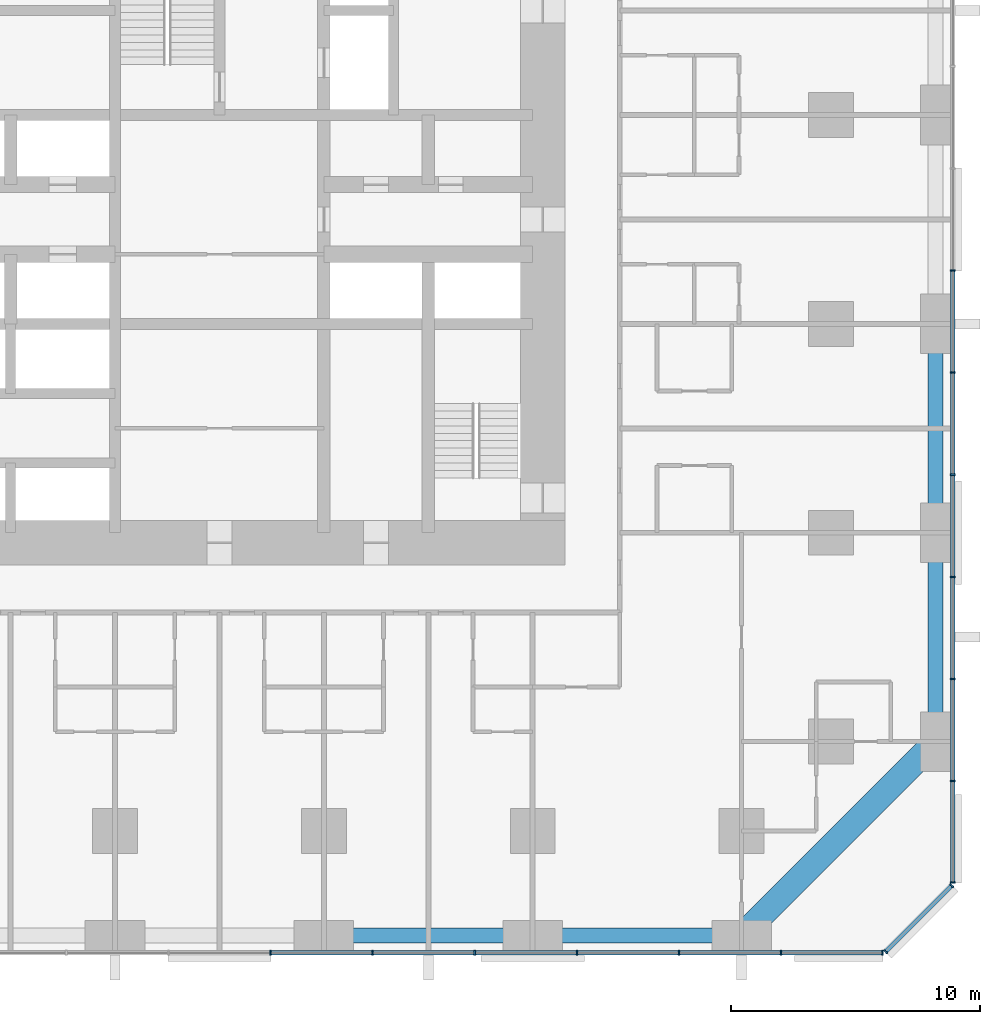
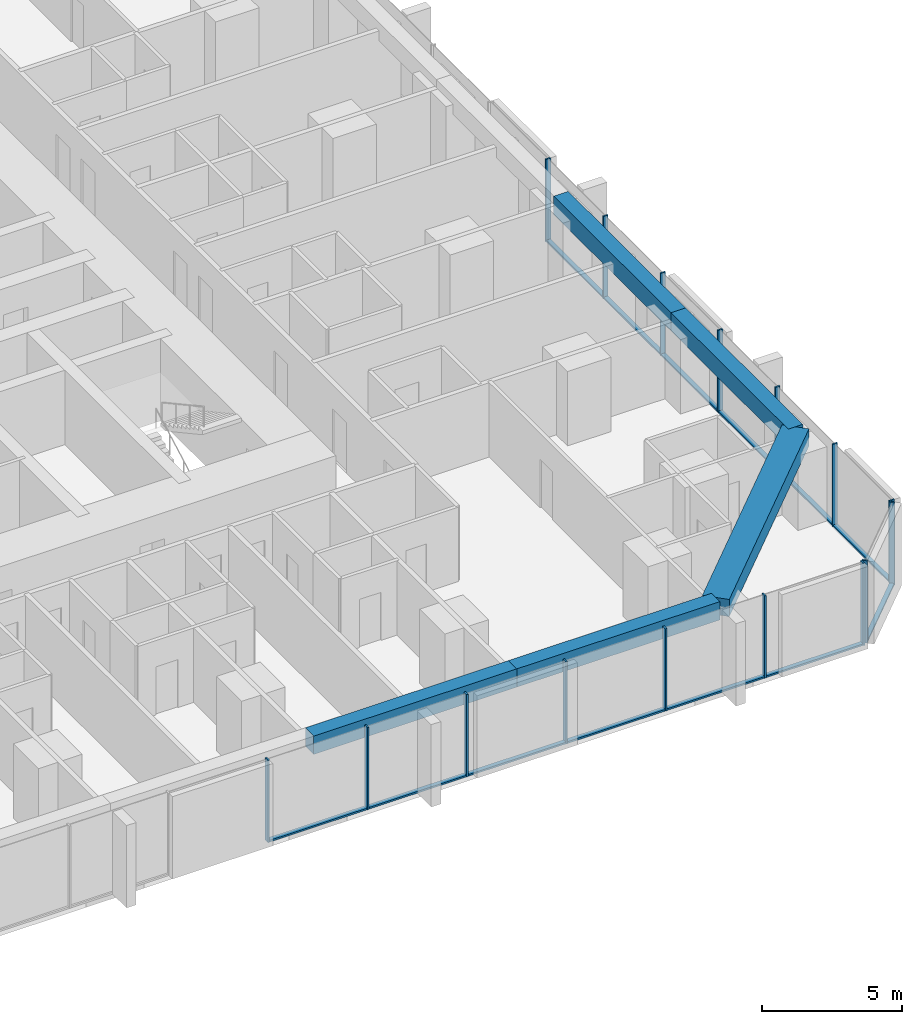
# One storey, part 4 of 18: 29 members, 5 beams, 3 elements without a shape of their own.
"""IFC4 building model written with IfcOpenShell, lengths in metres."""

from ifc_helpers import new_model, si_unit, direction, frame, origin, origin_2d, place, context, subcontext, project, spatial, rectangle, extrude, material, material_profile, profile_set, type_object, element, aggregate, save


model = new_model("IFC4")

# Units and contexts
model_context = context("Model", 3, precision=1e-05, world=origin(), true_north=direction((0.0, 1.0)))
body_context = subcontext(model_context, "Body", "Model", "MODEL_VIEW")
ifc_project = project(units=[si_unit("LENGTHUNIT", "METRE"), si_unit("AREAUNIT", "SQUARE_METRE"), si_unit("VOLUMEUNIT", "CUBIC_METRE"), si_unit("PLANEANGLEUNIT", "RADIAN"), si_unit("MASSUNIT", "GRAM", prefix="KILO")], contexts=[model_context])

# Site, building, storey
site_placement = place(None, origin())
site = spatial("IfcSite", under=ifc_project, at=site_placement, CompositionType="ELEMENT")
building_placement = place(site_placement, origin())
building = spatial("IfcBuilding", under=site, at=building_placement, Name="Dunama Terrace Hotel", CompositionType="ELEMENT")
storey_placement = place(building_placement, frame((0.0, 0.0, 30.60009765625)))
storey = spatial("IfcBuildingStorey", under=building, at=storey_placement, Name="L06", CompositionType="ELEMENT", Elevation=30.60009765625)

# Curtain wall, members
ifc_material_1 = material(Name="Aluminium curtain wall system", Category="aluminium")
curtain_wall_type = type_object("IfcCurtainWallType", Name="Unitised fritted glass wall CW-A", PredefinedType="NOTDEFINED", material=ifc_material_1)
curtain_wall_1_placement = place(storey_placement, origin())
curtain_wall_1 = element("IfcCurtainWall", 1, at=curtain_wall_1_placement, inside=storey, type_object=curtain_wall_type, Name="Unitised fritted glass wall CW-A L06", PredefinedType="NOTDEFINED")
ifc_material_2 = material(Name="Aluminium mullion", Category="aluminium")
ifc_material_profile_1 = material_profile(ifc_material_2, rectangle(XDim=0.06494140625, YDim=0.199951171875, at=origin_2d()), Name="CWA MULLION 65X200")
ifc_profile_set_1 = profile_set([ifc_material_profile_1], Name="Aluminium mullion")
member_type_1 = type_object("IfcMemberType", Name="CWA mullion 65x200", PredefinedType="MULLION", material=ifc_profile_set_1)
member_1_placement = place(storey_placement, frame((31.4541015625, -0.10009765625, 0.0), z_axis=(0.0, 0.0, 1.0), x_axis=(1.0, 0.0, 0.0)))
member_1 = element("IfcMember", 2, at=member_1_placement, type_object=member_type_1, Name="CWA mullion", PredefinedType="MULLION", context=body_context, shape_type="SweptSolid", body=[
    extrude(rectangle(XDim=0.06494140625, YDim=0.199951171875, at=origin_2d()), origin(), (0.0, 0.0, 1.0), 3.599853515625),
])
member_2_placement = place(storey_placement, frame((35.56201171875, -0.10009765625, 0.0), z_axis=(0.0, 0.0, 1.0), x_axis=(1.0, 0.0, 0.0)))
member_2 = element("IfcMember", 3, at=member_2_placement, type_object=member_type_1, Name="CWA mullion", PredefinedType="MULLION", context=body_context, shape_type="SweptSolid", body=[
    extrude(rectangle(XDim=0.06494140625, YDim=0.199951171875, at=origin_2d()), origin(), (0.0, 0.0, 1.0), 3.599853515625),
])
member_3_placement = place(storey_placement, frame((39.6689453125, -0.10009765625, 0.0), z_axis=(0.0, 0.0, 1.0), x_axis=(1.0, 0.0, 0.0)))
member_3 = element("IfcMember", 4, at=member_3_placement, type_object=member_type_1, Name="CWA mullion", PredefinedType="MULLION", context=body_context, shape_type="SweptSolid", body=[
    extrude(rectangle(XDim=0.06494140625, YDim=0.199951171875, at=origin_2d()), origin(), (0.0, 0.0, 1.0), 3.599853515625),
])
member_4_placement = place(storey_placement, frame((43.777099609375, -0.10009765625, 0.0), z_axis=(0.0, 0.0, 1.0), x_axis=(1.0, 0.0, 0.0)))
member_4 = element("IfcMember", 5, at=member_4_placement, type_object=member_type_1, Name="CWA mullion", PredefinedType="MULLION", context=body_context, shape_type="SweptSolid", body=[
    extrude(rectangle(XDim=0.06494140625, YDim=0.199951171875, at=origin_2d()), origin(), (0.0, 0.0, 1.0), 3.599853515625),
])
member_5_placement = place(storey_placement, frame((47.885009765625, -0.10009765625, 0.0), z_axis=(0.0, 0.0, 1.0), x_axis=(1.0, 0.0, 0.0)))
member_5 = element("IfcMember", 6, at=member_5_placement, type_object=member_type_1, Name="CWA mullion", PredefinedType="MULLION", context=body_context, shape_type="SweptSolid", body=[
    extrude(rectangle(XDim=0.06494140625, YDim=0.199951171875, at=origin_2d()), origin(), (0.0, 0.0, 1.0), 3.599853515625),
])
member_6_placement = place(storey_placement, frame((51.991943359375, -0.10009765625, 0.0), z_axis=(0.0, 0.0, 1.0), x_axis=(1.0, 0.0, 0.0)))
member_6 = element("IfcMember", 7, at=member_6_placement, type_object=member_type_1, Name="CWA mullion", PredefinedType="MULLION", context=body_context, shape_type="SweptSolid", body=[
    extrude(rectangle(XDim=0.06494140625, YDim=0.199951171875, at=origin_2d()), origin(), (0.0, 0.0, 1.0), 3.599853515625),
])
member_7_placement = place(storey_placement, frame((56.06689453125, -0.10009765625, 0.0), z_axis=(0.0, 0.0, 1.0), x_axis=(1.0, 0.0, 0.0)))
member_7 = element("IfcMember", 8, at=member_7_placement, type_object=member_type_1, Name="CWA mullion", PredefinedType="MULLION", context=body_context, shape_type="SweptSolid", body=[
    extrude(rectangle(XDim=0.06494140625, YDim=0.199951171875, at=origin_2d()), origin(), (0.0, 0.0, 1.0), 3.599853515625),
])

curtain_wall_2_placement = place(storey_placement, origin())
curtain_wall_2 = element("IfcCurtainWall", 9, at=curtain_wall_2_placement, inside=storey, type_object=curtain_wall_type, Name="Unitised fritted glass wall CW-A L06", PredefinedType="NOTDEFINED")
member_8_placement = place(storey_placement, frame((56.194091796875, -0.048095703125, 0.0), z_axis=(0.0, 0.0, 1.0), x_axis=(0.707106781187, 0.707106781187, 0.0)))
member_8 = element("IfcMember", 10, at=member_8_placement, type_object=member_type_1, Name="CWA mullion", PredefinedType="MULLION", context=body_context, shape_type="SweptSolid", body=[
    extrude(rectangle(XDim=0.06494140625, YDim=0.199951171875, at=origin_2d()), origin(), (0.0, 0.0, 1.0), 3.599853515625),
])
member_9_placement = place(storey_placement, frame((58.847900390625, 2.60595703125, 0.0), z_axis=(0.0, 0.0, 1.0), x_axis=(0.707106781187, 0.707106781187, 0.0)))
member_9 = element("IfcMember", 11, at=member_9_placement, type_object=member_type_1, Name="CWA mullion", PredefinedType="MULLION", context=body_context, shape_type="SweptSolid", body=[
    extrude(rectangle(XDim=0.06494140625, YDim=0.199951171875, at=origin_2d()), origin(), (0.0, 0.0, 1.0), 3.599853515625),
])

curtain_wall_3_placement = place(storey_placement, origin())
curtain_wall_3 = element("IfcCurtainWall", 12, at=curtain_wall_3_placement, inside=storey, type_object=curtain_wall_type, Name="Unitised fritted glass wall CW-A L06", PredefinedType="NOTDEFINED")
member_10_placement = place(storey_placement, frame((58.89990234375, 2.73291015625, 0.0), z_axis=(0.0, 0.0, 1.0), x_axis=(0.0, 1.0, 0.0)))
member_10 = element("IfcMember", 13, at=member_10_placement, type_object=member_type_1, Name="CWA mullion", PredefinedType="MULLION", context=body_context, shape_type="SweptSolid", body=[
    extrude(rectangle(XDim=0.06494140625, YDim=0.199951171875, at=origin_2d()), origin(), (0.0, 0.0, 1.0), 3.599853515625),
])
member_11_placement = place(storey_placement, frame((58.89990234375, 6.80810546875, 0.0), z_axis=(0.0, 0.0, 1.0), x_axis=(0.0, 1.0, 0.0)))
member_11 = element("IfcMember", 14, at=member_11_placement, type_object=member_type_1, Name="CWA mullion", PredefinedType="MULLION", context=body_context, shape_type="SweptSolid", body=[
    extrude(rectangle(XDim=0.06494140625, YDim=0.199951171875, at=origin_2d()), origin(), (0.0, 0.0, 1.0), 3.599853515625),
])
member_12_placement = place(storey_placement, frame((58.89990234375, 10.9150390625, 0.0), z_axis=(0.0, 0.0, 1.0), x_axis=(0.0, 1.0, 0.0)))
member_12 = element("IfcMember", 15, at=member_12_placement, type_object=member_type_1, Name="CWA mullion", PredefinedType="MULLION", context=body_context, shape_type="SweptSolid", body=[
    extrude(rectangle(XDim=0.06494140625, YDim=0.199951171875, at=origin_2d()), origin(), (0.0, 0.0, 1.0), 3.599853515625),
])
member_13_placement = place(storey_placement, frame((58.89990234375, 15.02294921875, 0.0), z_axis=(0.0, 0.0, 1.0), x_axis=(0.0, 1.0, 0.0)))
member_13 = element("IfcMember", 16, at=member_13_placement, type_object=member_type_1, Name="CWA mullion", PredefinedType="MULLION", context=body_context, shape_type="SweptSolid", body=[
    extrude(rectangle(XDim=0.06494140625, YDim=0.199951171875, at=origin_2d()), origin(), (0.0, 0.0, 1.0), 3.599853515625),
])
member_14_placement = place(storey_placement, frame((58.89990234375, 19.131103515625, 0.0), z_axis=(0.0, 0.0, 1.0), x_axis=(0.0, 1.0, 0.0)))
member_14 = element("IfcMember", 17, at=member_14_placement, type_object=member_type_1, Name="CWA mullion", PredefinedType="MULLION", context=body_context, shape_type="SweptSolid", body=[
    extrude(rectangle(XDim=0.06494140625, YDim=0.199951171875, at=origin_2d()), origin(), (0.0, 0.0, 1.0), 3.599853515625),
])
member_15_placement = place(storey_placement, frame((58.89990234375, 23.238037109375, 0.0), z_axis=(0.0, 0.0, 1.0), x_axis=(0.0, 1.0, 0.0)))
member_15 = element("IfcMember", 18, at=member_15_placement, type_object=member_type_1, Name="CWA mullion", PredefinedType="MULLION", context=body_context, shape_type="SweptSolid", body=[
    extrude(rectangle(XDim=0.06494140625, YDim=0.199951171875, at=origin_2d()), origin(), (0.0, 0.0, 1.0), 3.599853515625),
])
member_16_placement = place(storey_placement, frame((58.89990234375, 27.345947265625, 0.0), z_axis=(0.0, 0.0, 1.0), x_axis=(0.0, 1.0, 0.0)))
member_16 = element("IfcMember", 19, at=member_16_placement, type_object=member_type_1, Name="CWA mullion", PredefinedType="MULLION", context=body_context, shape_type="SweptSolid", body=[
    extrude(rectangle(XDim=0.06494140625, YDim=0.199951171875, at=origin_2d()), origin(), (0.0, 0.0, 1.0), 3.599853515625),
])

# Member
ifc_material_3 = material(Name="Aluminium transom", Category="aluminium")
ifc_material_profile_2 = material_profile(ifc_material_3, rectangle(XDim=0.179931640625, YDim=0.074951171875, at=origin_2d()), Name="CWA TRANSOM 180X75")
ifc_profile_set_2 = profile_set([ifc_material_profile_2], Name="Aluminium transom")
member_type_2 = type_object("IfcMemberType", Name="CWA transom 180x75", PredefinedType="USERDEFINED", material=ifc_profile_set_2)
member_17_placement = place(storey_placement, frame((31.486083984375, -0.10009765625, 0.037353515625), z_axis=(1.0, 0.0, 0.0), x_axis=(0.0, 1.0, 0.0)))
member_17 = element("IfcMember", 20, at=member_17_placement, type_object=member_type_2, Name="CWA transom", ObjectType="TRANSOM", PredefinedType="USERDEFINED", context=body_context, shape_type="SweptSolid", body=[
    extrude(rectangle(XDim=0.179931640625, YDim=0.074951171875, at=origin_2d()), origin(), (0.0, 0.0, 1.0), 4.04296875),
])

member_18_placement = place(storey_placement, frame((35.593994140625, -0.10009765625, 0.037353515625), z_axis=(1.0, 0.0, 0.0), x_axis=(0.0, 1.0, 0.0)))
member_18 = element("IfcMember", 21, at=member_18_placement, type_object=member_type_2, Name="CWA transom", ObjectType="TRANSOM", PredefinedType="USERDEFINED", context=body_context, shape_type="SweptSolid", body=[
    extrude(rectangle(XDim=0.179931640625, YDim=0.074951171875, at=origin_2d()), origin(), (0.0, 0.0, 1.0), 4.04296875),
])

member_19_placement = place(storey_placement, frame((39.701904296875, -0.10009765625, 0.037353515625), z_axis=(1.0, 0.0, 0.0), x_axis=(0.0, 1.0, 0.0)))
member_19 = element("IfcMember", 22, at=member_19_placement, type_object=member_type_2, Name="CWA transom", ObjectType="TRANSOM", PredefinedType="USERDEFINED", context=body_context, shape_type="SweptSolid", body=[
    extrude(rectangle(XDim=0.179931640625, YDim=0.074951171875, at=origin_2d()), origin(), (0.0, 0.0, 1.0), 4.0419921875),
])

member_20_placement = place(storey_placement, frame((43.80908203125, -0.10009765625, 0.037353515625), z_axis=(1.0, 0.0, 0.0), x_axis=(0.0, 1.0, 0.0)))
member_20 = element("IfcMember", 23, at=member_20_placement, type_object=member_type_2, Name="CWA transom", ObjectType="TRANSOM", PredefinedType="USERDEFINED", context=body_context, shape_type="SweptSolid", body=[
    extrude(rectangle(XDim=0.179931640625, YDim=0.074951171875, at=origin_2d()), origin(), (0.0, 0.0, 1.0), 4.04296875),
])

member_21_placement = place(storey_placement, frame((47.9169921875, -0.10009765625, 0.037353515625), z_axis=(1.0, 0.0, 0.0), x_axis=(0.0, 1.0, 0.0)))
member_21 = element("IfcMember", 24, at=member_21_placement, type_object=member_type_2, Name="CWA transom", ObjectType="TRANSOM", PredefinedType="USERDEFINED", context=body_context, shape_type="SweptSolid", body=[
    extrude(rectangle(XDim=0.179931640625, YDim=0.074951171875, at=origin_2d()), origin(), (0.0, 0.0, 1.0), 4.04296875),
])

member_22_placement = place(storey_placement, frame((52.02490234375, -0.10009765625, 0.037353515625), z_axis=(1.0, 0.0, 0.0), x_axis=(0.0, 1.0, 0.0)))
member_22 = element("IfcMember", 25, at=member_22_placement, type_object=member_type_2, Name="CWA transom", ObjectType="TRANSOM", PredefinedType="USERDEFINED", context=body_context, shape_type="SweptSolid", body=[
    extrude(rectangle(XDim=0.179931640625, YDim=0.074951171875, at=origin_2d()), origin(), (0.0, 0.0, 1.0), 4.010009765625),
])

aggregate(curtain_wall_1, [member_1, member_2, member_3, member_4, member_5, member_6, member_7, member_17, member_18, member_19, member_20, member_21, member_22])

member_23_placement = place(storey_placement, frame((56.217041015625, -0.02490234375, 0.037353515625), z_axis=(0.707106781187, 0.707106781187, 0.0), x_axis=(-0.707106781187, 0.707106781187, 0.0)))
member_23 = element("IfcMember", 26, at=member_23_placement, type_object=member_type_2, Name="CWA transom", ObjectType="TRANSOM", PredefinedType="USERDEFINED", context=body_context, shape_type="SweptSolid", body=[
    extrude(rectangle(XDim=0.179931640625, YDim=0.074951171875, at=origin_2d()), origin(), (0.0, 0.0, 1.0), 3.688232421875),
])

aggregate(curtain_wall_2, [member_8, member_9, member_23])

member_24_placement = place(storey_placement, frame((58.89990234375, 2.764892578125, 0.037353515625), z_axis=(0.0, 1.0, 0.0), x_axis=(-1.0, 0.0, 0.0)))
member_24 = element("IfcMember", 27, at=member_24_placement, type_object=member_type_2, Name="CWA transom", ObjectType="TRANSOM", PredefinedType="USERDEFINED", context=body_context, shape_type="SweptSolid", body=[
    extrude(rectangle(XDim=0.179931640625, YDim=0.074951171875, at=origin_2d()), origin(), (0.0, 0.0, 1.0), 4.010009765625),
])

member_25_placement = place(storey_placement, frame((58.89990234375, 6.840087890625, 0.037353515625), z_axis=(0.0, 1.0, 0.0), x_axis=(-1.0, 0.0, 0.0)))
member_25 = element("IfcMember", 28, at=member_25_placement, type_object=member_type_2, Name="CWA transom", ObjectType="TRANSOM", PredefinedType="USERDEFINED", context=body_context, shape_type="SweptSolid", body=[
    extrude(rectangle(XDim=0.179931640625, YDim=0.074951171875, at=origin_2d()), origin(), (0.0, 0.0, 1.0), 4.04296875),
])

member_26_placement = place(storey_placement, frame((58.89990234375, 10.947998046875, 0.037353515625), z_axis=(0.0, 1.0, 0.0), x_axis=(-1.0, 0.0, 0.0)))
member_26 = element("IfcMember", 29, at=member_26_placement, type_object=member_type_2, Name="CWA transom", ObjectType="TRANSOM", PredefinedType="USERDEFINED", context=body_context, shape_type="SweptSolid", body=[
    extrude(rectangle(XDim=0.179931640625, YDim=0.074951171875, at=origin_2d()), origin(), (0.0, 0.0, 1.0), 4.04296875),
])

member_27_placement = place(storey_placement, frame((58.89990234375, 15.055908203125, 0.037353515625), z_axis=(0.0, 1.0, 0.0), x_axis=(-1.0, 0.0, 0.0)))
member_27 = element("IfcMember", 30, at=member_27_placement, type_object=member_type_2, Name="CWA transom", ObjectType="TRANSOM", PredefinedType="USERDEFINED", context=body_context, shape_type="SweptSolid", body=[
    extrude(rectangle(XDim=0.179931640625, YDim=0.074951171875, at=origin_2d()), origin(), (0.0, 0.0, 1.0), 4.0419921875),
])

member_28_placement = place(storey_placement, frame((58.89990234375, 19.1630859375, 0.037353515625), z_axis=(0.0, 1.0, 0.0), x_axis=(-1.0, 0.0, 0.0)))
member_28 = element("IfcMember", 31, at=member_28_placement, type_object=member_type_2, Name="CWA transom", ObjectType="TRANSOM", PredefinedType="USERDEFINED", context=body_context, shape_type="SweptSolid", body=[
    extrude(rectangle(XDim=0.179931640625, YDim=0.074951171875, at=origin_2d()), origin(), (0.0, 0.0, 1.0), 4.04296875),
])

member_29_placement = place(storey_placement, frame((58.89990234375, 23.27099609375, 0.037353515625), z_axis=(0.0, 1.0, 0.0), x_axis=(-1.0, 0.0, 0.0)))
member_29 = element("IfcMember", 32, at=member_29_placement, type_object=member_type_2, Name="CWA transom", ObjectType="TRANSOM", PredefinedType="USERDEFINED", context=body_context, shape_type="SweptSolid", body=[
    extrude(rectangle(XDim=0.179931640625, YDim=0.074951171875, at=origin_2d()), origin(), (0.0, 0.0, 1.0), 4.04296875),
])

aggregate(curtain_wall_3, [member_10, member_11, member_12, member_13, member_14, member_15, member_16, member_24, member_25, member_26, member_27, member_28, member_29])

# Beams
ifc_material_4 = material(Name="Concrete C50/60", Category="concrete")
ifc_material_profile_3 = material_profile(ifc_material_4, rectangle(XDim=1.0, YDim=0.75, at=origin_2d()), Name="RC 1000x750")
ifc_profile_set_3 = profile_set([ifc_material_profile_3], Name="Concrete C50/60")
beam_type_1 = type_object("IfcBeamType", Name="Edge beam RC 1000x750", PredefinedType="SPANDREL", material=ifc_profile_set_3)
beam_1_placement = place(storey_placement, frame((50.39990234375, 0.60009765625, 3.224853515625), z_axis=(0.707117847453, 0.707095714747, 0.0), x_axis=(-0.707095714747, 0.707117847453, 0.0)))
element("IfcBeam", 33, at=beam_1_placement, inside=storey, type_object=beam_type_1, Name="Corner edge beam under L07", PredefinedType="SPANDREL", context=body_context, shape_type="SweptSolid", body=[
    extrude(rectangle(XDim=1.0, YDim=0.75, at=origin_2d()), origin(), (0.0, 0.0, 1.0), 11.03076171875),
])
ifc_material_5 = material(Name="Concrete C40/50", Category="concrete")
ifc_material_profile_4 = material_profile(ifc_material_5, rectangle(XDim=0.60009765625, YDim=0.800048828125, at=origin_2d()), Name="RC 600x800")
ifc_profile_set_4 = profile_set([ifc_material_profile_4], Name="Concrete C40/50")
beam_type_2 = type_object("IfcBeamType", Name="Edge beam RC 600x800", PredefinedType="SPANDREL", material=ifc_profile_set_4)
beam_2_placement = place(storey_placement, frame((58.199951171875, 8.39990234375, 3.199951171875), z_axis=(0.0, 1.0, 0.0), x_axis=(-1.0, 0.0, 0.0)))
element("IfcBeam", 34, at=beam_2_placement, inside=storey, type_object=beam_type_2, Name="Edge beam under L07", PredefinedType="SPANDREL", context=body_context, shape_type="SweptSolid", body=[
    extrude(rectangle(XDim=0.60009765625, YDim=0.800048828125, at=origin_2d()), origin(), (0.0, 0.0, 1.0), 8.400146484375),
])
for number, where, z_axis, x_axis, name in (
    (35, (58.199951171875, 16.800048828125, 3.199951171875), (0.0, 1.0, 0.0), (-1.0, 0.0, 0.0), "Edge beam under L07"),
    (36, (33.60009765625, 0.60009765625, 3.199951171875), (1.0, 0.0, 0.0), (0.0, 1.0, 0.0), "Edge beam under L07"),
    (37, (42.0, 0.60009765625, 3.199951171875), (1.0, 0.0, 0.0), (0.0, 1.0, 0.0), "Edge beam under L07"),
):
    element("IfcBeam", number, at=place(storey_placement, frame(where, z_axis=z_axis, x_axis=x_axis)), inside=storey, type_object=beam_type_2, Name=name, PredefinedType="SPANDREL", context=body_context, shape_type="SweptSolid", body=[
        extrude(rectangle(XDim=0.60009765625, YDim=0.800048828125, at=origin_2d()), origin(), (0.0, 0.0, 1.0), 8.39990234375),
    ])

save(model, "model.ifc")
